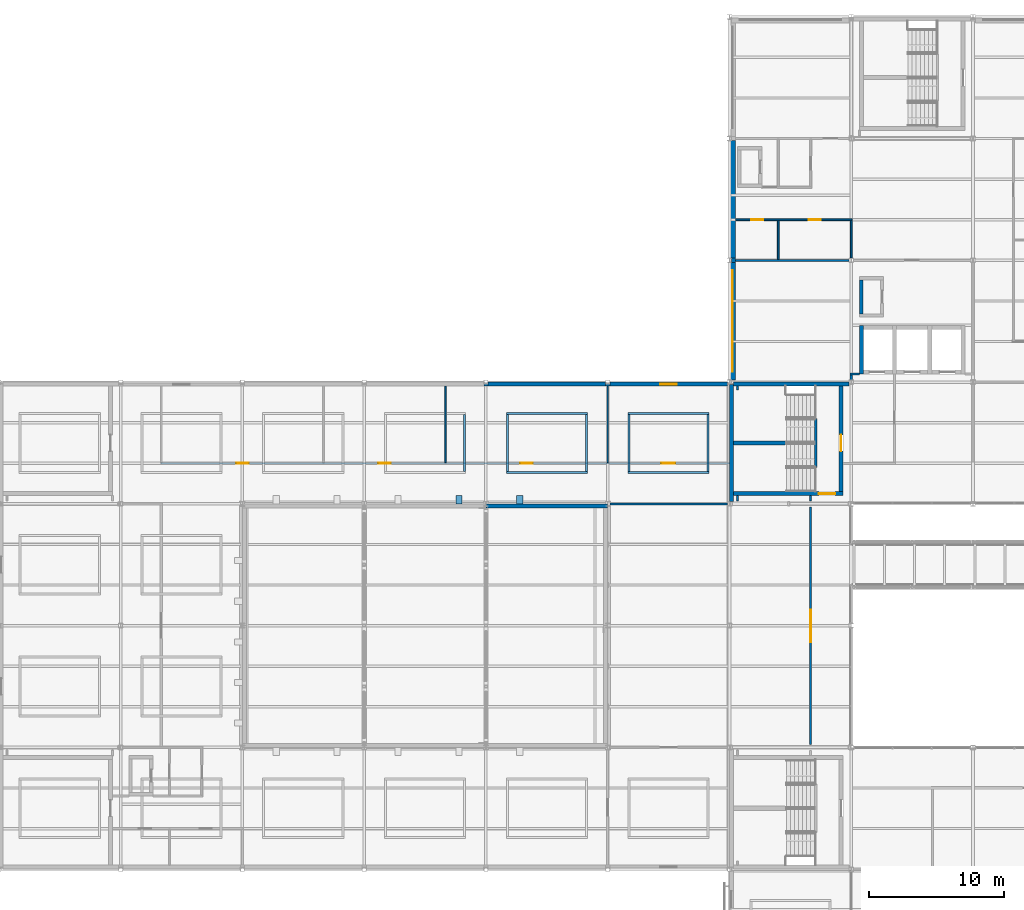
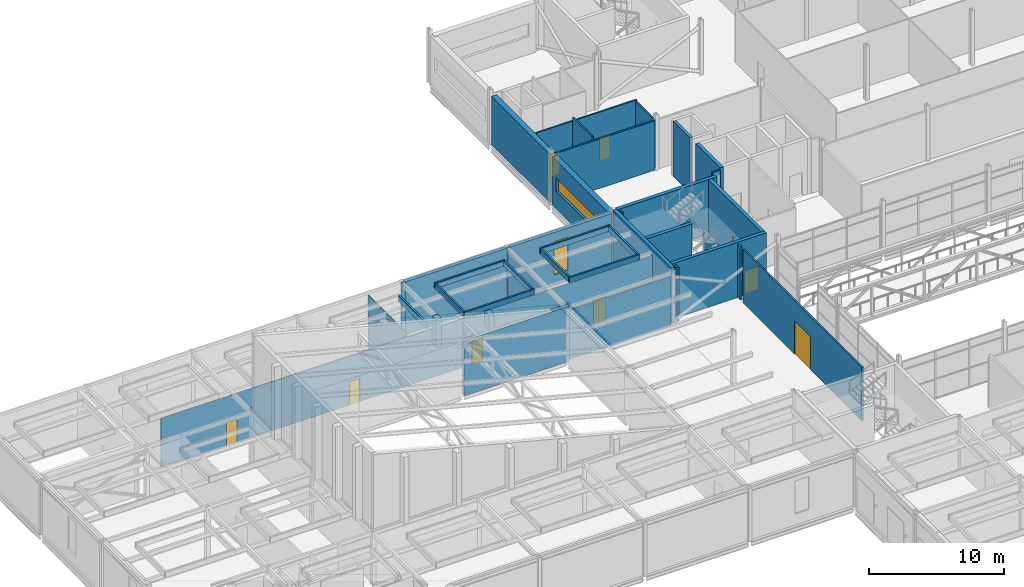
# One storey, part 84 of 115: 41 walls, 9 doors, 2 windows, 11 openings.
"""IFC4 building model written with IfcOpenShell, lengths in metres."""

from ifc_helpers import new_model, si_unit, direction, frame, frame_2d, origin, place, context, subcontext, project, spatial, rectangle, extrude, material, layer, layer_set, type_object, element, fill, save


model = new_model("IFC4")

# Units and contexts
model_context = context("Model", 3, precision=1e-05, world=origin(), true_north=direction((0.0, 1.0)))
body_context = subcontext(model_context, "Body", "Model", "MODEL_VIEW")
ifc_project = project(units=[si_unit("LENGTHUNIT", "METRE"), si_unit("AREAUNIT", "SQUARE_METRE"), si_unit("VOLUMEUNIT", "CUBIC_METRE"), si_unit("PLANEANGLEUNIT", "RADIAN"), si_unit("MASSUNIT", "GRAM", prefix="KILO")], contexts=[model_context])

# Site, building, storey
site_placement = place(None, origin())
site = spatial("IfcSite", under=ifc_project, at=site_placement, CompositionType="ELEMENT")
building_placement = place(site_placement, origin())
building = spatial("IfcBuilding", under=site, at=building_placement, Name="Shorebreak Coast Museum", CompositionType="ELEMENT")
storey_placement = place(building_placement, frame((0.0, 0.0, 11.0)))
storey = spatial("IfcBuildingStorey", under=building, at=storey_placement, Name="L02", CompositionType="ELEMENT", Elevation=11.0)

# Walls
ifc_material_1 = material(Name="Concrete N50 (50 MPa)", Category="concrete")
ifc_layer_1 = layer(ifc_material_1, 0.14990234375)
ifc_layer_set_1 = layer_set([ifc_layer_1], Name="Concrete N50 (50 MPa)")
wall_type_1 = type_object("IfcWallType", Name="Column closure panel 150", PredefinedType="SOLIDWALL", material=ifc_layer_set_1)
for number, where, z_axis, x_axis, name in (
    (1, (35.839111328125, 89.77490234375, 0.0), (0.0, 0.0, 1.0), (1.0, 0.0, 0.0), "Column closure panel L02 N 5L"),
    (2, (44.839111328125, 89.77490234375, 0.0), (0.0, 0.0, 1.0), (1.0, 0.0, 0.0), "Column closure panel L02 N 6L"),
):
    element("IfcWall", number, at=place(storey_placement, frame(where, z_axis=z_axis, x_axis=x_axis)), inside=storey, type_object=wall_type_1, Name=name, PredefinedType="SOLIDWALL", context=body_context, shape_type="SweptSolid", body=[
        extrude(rectangle(XDim=0.32177734375, YDim=0.14990234375, at=frame_2d((0.160888671875, 0.0))), origin(), (0.0, 0.0, 1.0), 4.824951171875),
    ])
ifc_material_2 = material(Name="Concrete N50 (50 MPa)", Category="concrete")
ifc_layer_2 = layer(ifc_material_2, 0.29638671875)
ifc_layer_set_2 = layer_set([ifc_layer_2], Name="Concrete N50 (50 MPa)")
wall_type_2 = type_object("IfcWallType", Name="Column closure panel 297", PredefinedType="SOLIDWALL", material=ifc_layer_set_2)
wall_1_placement = place(storey_placement, frame((54.3017578125, 98.839111328125, 0.0), z_axis=(0.0, 0.0, 1.0), x_axis=(0.0, 1.0, 0.0)))
element("IfcWall", 3, at=wall_1_placement, inside=storey, type_object=wall_type_2, Name="Column closure panel L02 W 7M", PredefinedType="SOLIDWALL", context=body_context, shape_type="SweptSolid", body=[
    extrude(rectangle(XDim=0.32177734375, YDim=0.29638671875, at=frame_2d((0.160888671875, 0.0))), origin(), (0.0, 0.0, 1.0), 4.37109375),
])

# Wall, opening, window
ifc_material_3 = material(Name="Concrete N50 (50 MPa)", Category="concrete")
ifc_layer_3 = layer(ifc_material_3, 0.449951171875)
ifc_layer_set_3 = layer_set([ifc_layer_3], Name="Concrete N50 (50 MPa)")
wall_type_3 = type_object("IfcWallType", Name="Deep-set precast panel 450", PredefinedType="SOLIDWALL", material=ifc_layer_set_3)
wall_2_placement = place(storey_placement, frame((54.22509765625, 90.16357421875, 0.0), z_axis=(0.0, 0.0, 1.0), x_axis=(0.0, 1.0, 0.0)))
wall_2 = element("IfcWall", 4, at=wall_2_placement, inside=storey, type_object=wall_type_3, Name="External wall L02 W 7L", PredefinedType="SOLIDWALL", context=body_context, shape_type="SweptSolid", body=[
    extrude(rectangle(XDim=8.675537109375, YDim=0.449951171875, at=frame_2d((4.337890625, 0.0))), origin(), (0.0, 0.0, 1.0), 4.37109375),
])
opening_1_placement = place(wall_2_placement, frame((0.58642578125, 0.0, 1.60009765625)))
opening_1 = element("IfcOpeningElement", 5, at=opening_1_placement, cuts=wall_2, Name="Opening WN2070", PredefinedType="OPENING", context=body_context, shape_type="SweptSolid", body=[
    extrude(rectangle(XDim=7.5, YDim=1.199951171875, at=frame_2d((3.75, 0.60009765625))), frame((0.0, 0.23486328125, 0.0), z_axis=(0.0, -1.0, 0.0), x_axis=(1.0, 0.0, 0.0)), (0.0, 0.0, 1.0), 0.469970703125),
])
ifc_material_4 = material(Name="Aluminium", Category="aluminium")
window_type_1 = type_object("IfcWindowType", Name="Ribbon window 7500 x 1200", PartitioningType="SINGLE_PANEL", PredefinedType="WINDOW", material=ifc_material_4)
window_1_placement = place(opening_1_placement, origin())
window_1 = element("IfcWindow", 6, at=window_1_placement, inside=storey, type_object=window_type_1, Name="Window WN2070", OverallHeight=1.199951171875, OverallWidth=7.5, PartitioningType="SINGLE_PANEL", PredefinedType="WINDOW", context=body_context, shape_type="SweptSolid", body=[
    extrude(rectangle(XDim=7.5, YDim=1.199951171875, at=frame_2d((3.75, 0.60009765625))), frame((0.0, 0.030029296875, 0.0), z_axis=(0.0, -1.0, 0.0), x_axis=(1.0, 0.0, 0.0)), (0.0, 0.0, 1.0), 0.06005859375),
])
fill(opening_1, window_1)

# Walls
wall_3_placement = place(storey_placement, frame((54.22509765625, 99.160888671875, 0.0), z_axis=(0.0, 0.0, 1.0), x_axis=(0.0, 1.0, 0.0)))
element("IfcWall", 7, at=wall_3_placement, inside=storey, type_object=wall_type_3, Name="External wall L02 W 7M", PredefinedType="SOLIDWALL", context=body_context, shape_type="SweptSolid", body=[
    extrude(rectangle(XDim=8.67822265625, YDim=0.449951171875, at=frame_2d((4.339111328125, 0.0))), origin(), (0.0, 0.0, 1.0), 4.37109375),
])
ifc_material_5 = material(Name="Plasterboard on steel stud", Category="steel")
ifc_layer_4 = layer(ifc_material_5, 0.14990234375)
ifc_layer_set_4 = layer_set([ifc_layer_4], Name="Plasterboard on steel stud")
wall_type_4 = type_object("IfcWallType", Name="Fire partition 150", PredefinedType="PARTITIONING", material=ifc_layer_set_4)
wall_4_placement = place(storey_placement, frame((45.155517578125, 81.0, 0.0), z_axis=(0.0, 0.0, 1.0), x_axis=(1.0, 0.0, 0.0)))
element("IfcWall", 8, at=wall_4_placement, inside=storey, type_object=wall_type_4, Name="Partition L02-053", PredefinedType="PARTITIONING", context=body_context, shape_type="SweptSolid", body=[
    extrude(rectangle(XDim=8.69091796875, YDim=0.14990234375, at=frame_2d((4.345458984375, 0.0))), origin(), (0.0, 0.0, 1.0), 4.469482421875),
])
wall_5_placement = place(storey_placement, frame((62.925048828125, 90.60009765625, 0.0), z_axis=(0.0, 0.0, 1.0), x_axis=(1.0, 0.0, 0.0)))
element("IfcWall", 9, at=wall_5_placement, inside=storey, type_object=wall_type_4, Name="Partition L02-066", PredefinedType="PARTITIONING", context=body_context, shape_type="SweptSolid", body=[
    extrude(rectangle(XDim=0.675048828125, YDim=0.14990234375, at=frame_2d((0.33740234375, 0.0))), origin(), (0.0, 0.0, 1.0), 4.824951171875),
])
wall_6_placement = place(storey_placement, frame((54.449951171875, 99.0, 0.0), z_axis=(0.0, 0.0, 1.0), x_axis=(1.0, 0.0, 0.0)))
element("IfcWall", 10, at=wall_6_placement, inside=storey, type_object=wall_type_4, Name="Partition L02-071", PredefinedType="PARTITIONING", context=body_context, shape_type="SweptSolid", body=[
    extrude(rectangle(XDim=8.396484375, YDim=0.14990234375, at=frame_2d((4.1982421875, 0.0))), origin(), (0.0, 0.0, 1.0), 4.469482421875),
])
wall_7_placement = place(storey_placement, frame((54.60009765625, 81.219970703125, 0.0), z_axis=(0.0, 0.0, 1.0), x_axis=(0.0, 1.0, 0.0)))
element("IfcWall", 11, at=wall_7_placement, inside=storey, type_object=wall_type_4, Name="Partition L02-104", PredefinedType="PARTITIONING", context=body_context, shape_type="SweptSolid", body=[
    extrude(rectangle(XDim=0.380126953125, YDim=0.14990234375, at=frame_2d((0.18994140625, 0.0))), origin(), (0.0, 0.0, 1.0), 4.824951171875),
])
wall_8_placement = place(storey_placement, frame((54.60009765625, 89.39990234375, 0.0), z_axis=(0.0, 0.0, 1.0), x_axis=(0.0, 1.0, 0.0)))
element("IfcWall", 12, at=wall_8_placement, inside=storey, type_object=wall_type_4, Name="Partition L02-105", PredefinedType="PARTITIONING", context=body_context, shape_type="SweptSolid", body=[
    extrude(rectangle(XDim=0.300048828125, YDim=0.14990234375, at=frame_2d((0.14990234375, 0.0))), origin(), (0.0, 0.0, 1.0), 4.824951171875),
])

# Wall, opening, door
wall_9_placement = place(storey_placement, frame((60.0, 63.219970703125, 0.0), z_axis=(0.0, 0.0, 1.0), x_axis=(0.0, 1.0, 0.0)))
wall_9 = element("IfcWall", 13, at=wall_9_placement, inside=storey, type_object=wall_type_4, Name="Partition L02-109", PredefinedType="PARTITIONING", context=body_context, shape_type="SweptSolid", body=[
    extrude(rectangle(XDim=17.56005859375, YDim=0.14990234375, at=frame_2d((8.780029296875, 0.0))), origin(), (0.0, 0.0, 1.0), 4.824951171875),
])
opening_2_placement = place(wall_9_placement, frame((7.550048828125, 0.0, 0.0)))
opening_2 = element("IfcOpeningElement", 14, at=opening_2_placement, cuts=wall_9, Name="Opening D2053", PredefinedType="OPENING", context=body_context, shape_type="SweptSolid", body=[
    extrude(rectangle(XDim=2.39990234375, YDim=3.0, at=frame_2d((1.199951171875, 1.5))), frame((0.0, 0.0849609375, 0.0), z_axis=(0.0, -1.0, 0.0), x_axis=(1.0, 0.0, 0.0)), (0.0, 0.0, 1.0), 0.169921875),
])
ifc_material_6 = material(Name="Steel", Category="steel")
door_type_1 = type_object("IfcDoorType", Name="Fire door 2400x3000 60", OperationType="DOUBLE_DOOR_SINGLE_SWING", PredefinedType="DOOR", material=ifc_material_6)
door_1_placement = place(opening_2_placement, origin())
door_1 = element("IfcDoor", 15, at=door_1_placement, inside=storey, type_object=door_type_1, Name="Door D2053 Temporary Gallery", OperationType="DOUBLE_DOOR_SINGLE_SWING", OverallHeight=3.0, OverallWidth=2.39990234375, PredefinedType="DOOR", context=body_context, shape_type="SweptSolid", body=[
    extrude(rectangle(XDim=2.39990234375, YDim=3.0, at=frame_2d((1.199951171875, 1.5))), frame((0.0, 0.02490234375, 0.0), z_axis=(0.0, -1.0, 0.0), x_axis=(1.0, 0.0, 0.0)), (0.0, 0.0, 1.0), 0.050048828125),
])
fill(opening_2, door_1)

# Walls
wall_10_placement = place(storey_placement, frame((60.0, 81.219970703125, 0.0), z_axis=(0.0, 0.0, 1.0), x_axis=(0.0, 1.0, 0.0)))
element("IfcWall", 16, at=wall_10_placement, inside=storey, type_object=wall_type_4, Name="Partition L02-110", PredefinedType="PARTITIONING", context=body_context, shape_type="SweptSolid", body=[
    extrude(rectangle(XDim=0.380126953125, YDim=0.14990234375, at=frame_2d((0.18994140625, 0.0))), origin(), (0.0, 0.0, 1.0), 4.824951171875),
])
wall_11_placement = place(storey_placement, frame((63.0, 90.16357421875, 0.0), z_axis=(0.0, 0.0, 1.0), x_axis=(0.0, 1.0, 0.0)))
element("IfcWall", 17, at=wall_11_placement, inside=storey, type_object=wall_type_4, Name="Partition L02-117", PredefinedType="PARTITIONING", context=body_context, shape_type="SweptSolid", body=[
    extrude(rectangle(XDim=0.361328125, YDim=0.14990234375, at=frame_2d((0.1806640625, 0.0))), origin(), (0.0, 0.0, 1.0), 4.824951171875),
])

# Wall, openings, doors
ifc_material_7 = material(Name="Plasterboard on steel stud", Category="steel")
ifc_layer_5 = layer(ifc_material_7, 0.10009765625)
ifc_layer_set_5 = layer_set([ifc_layer_5], Name="Plasterboard on steel stud")
wall_type_5 = type_object("IfcWallType", Name="Partition 100", PredefinedType="PARTITIONING", material=ifc_layer_set_5)
wall_12_placement = place(storey_placement, frame((11.949951171875, 84.0, 0.0), z_axis=(0.0, 0.0, 1.0), x_axis=(1.0, 0.0, 0.0)))
wall_12 = element("IfcWall", 18, at=wall_12_placement, inside=storey, type_object=wall_type_5, Name="Partition L02-059", PredefinedType="PARTITIONING", context=body_context, shape_type="SweptSolid", body=[
    extrude(rectangle(XDim=42.050048828125, YDim=0.10009765625, at=frame_2d((21.02490234375, 0.0))), origin(), (0.0, 0.0, 1.0), 4.42236328125),
])
opening_3_placement = place(wall_12_placement, frame((5.60009765625, 0.0, 0.0)))
opening_3 = element("IfcOpeningElement", 19, at=opening_3_placement, cuts=wall_12, Name="Opening D2054", PredefinedType="OPENING", context=body_context, shape_type="SweptSolid", body=[
    extrude(rectangle(XDim=0.89990234375, YDim=2.10009765625, at=frame_2d((0.449951171875, 1.050048828125))), frame((0.0, 0.06005859375, 0.0), z_axis=(0.0, -1.0, 0.0), x_axis=(1.0, 0.0, 0.0)), (0.0, 0.0, 1.0), 0.1201171875),
])
opening_4_placement = place(wall_12_placement, frame((16.10009765625, 0.0, 0.0)))
opening_4 = element("IfcOpeningElement", 20, at=opening_4_placement, cuts=wall_12, Name="Opening D2055", PredefinedType="OPENING", context=body_context, shape_type="SweptSolid", body=[
    extrude(rectangle(XDim=0.89990234375, YDim=2.10009765625, at=frame_2d((0.449951171875, 1.050048828125))), frame((0.0, 0.06005859375, 0.0), z_axis=(0.0, -1.0, 0.0), x_axis=(1.0, 0.0, 0.0)), (0.0, 0.0, 1.0), 0.1201171875),
])
opening_5_placement = place(wall_12_placement, frame((26.60009765625, 0.0, 0.0)))
opening_5 = element("IfcOpeningElement", 21, at=opening_5_placement, cuts=wall_12, Name="Opening D2056", PredefinedType="OPENING", context=body_context, shape_type="SweptSolid", body=[
    extrude(rectangle(XDim=0.89990234375, YDim=2.10009765625, at=frame_2d((0.449951171875, 1.050048828125))), frame((0.0, 0.06005859375, 0.0), z_axis=(0.0, -1.0, 0.0), x_axis=(1.0, 0.0, 0.0)), (0.0, 0.0, 1.0), 0.1201171875),
])
opening_6_placement = place(wall_12_placement, frame((37.0, 0.0, 0.0)))
opening_6 = element("IfcOpeningElement", 22, at=opening_6_placement, cuts=wall_12, Name="Opening D2057", PredefinedType="OPENING", context=body_context, shape_type="SweptSolid", body=[
    extrude(rectangle(XDim=1.050048828125, YDim=2.10009765625, at=frame_2d((0.52490234375, 1.050048828125))), frame((0.0, 0.06005859375, 0.0), z_axis=(0.0, -1.0, 0.0), x_axis=(1.0, 0.0, 0.0)), (0.0, 0.0, 1.0), 0.1201171875),
])
ifc_material_8 = material(Name="Timber", Category="wood")
door_type_2 = type_object("IfcDoorType", Name="Interior door 1050x2100", OperationType="SINGLE_SWING_LEFT", PredefinedType="DOOR", material=ifc_material_8)
door_2_placement = place(opening_6_placement, origin())
door_2 = element("IfcDoor", 23, at=door_2_placement, inside=storey, type_object=door_type_2, Name="Door D2057 Meeting Room 2.03", OperationType="SINGLE_SWING_RIGHT", OverallHeight=2.10009765625, OverallWidth=1.050048828125, PredefinedType="DOOR", context=body_context, shape_type="SweptSolid", body=[
    extrude(rectangle(XDim=1.050048828125, YDim=2.10009765625, at=frame_2d((0.52490234375, 1.050048828125))), frame((0.0, 0.02490234375, 0.0), z_axis=(0.0, -1.0, 0.0), x_axis=(1.0, 0.0, 0.0)), (0.0, 0.0, 1.0), 0.050048828125),
])
fill(opening_6, door_2)
ifc_material_9 = material(Name="Timber", Category="wood")
door_type_3 = type_object("IfcDoorType", Name="Interior door 900x2100", OperationType="SINGLE_SWING_LEFT", PredefinedType="DOOR", material=ifc_material_9)
door_3_placement = place(opening_3_placement, origin())
door_3 = element("IfcDoor", 24, at=door_3_placement, inside=storey, type_object=door_type_3, Name="Door D2054 Curatorial Office 2.05", OperationType="SINGLE_SWING_RIGHT", OverallHeight=2.10009765625, OverallWidth=0.89990234375, PredefinedType="DOOR", context=body_context, shape_type="SweptSolid", body=[
    extrude(rectangle(XDim=0.89990234375, YDim=2.10009765625, at=frame_2d((0.449951171875, 1.050048828125))), frame((0.0, 0.02490234375, 0.0), z_axis=(0.0, -1.0, 0.0), x_axis=(1.0, 0.0, 0.0)), (0.0, 0.0, 1.0), 0.050048828125),
])
fill(opening_3, door_3)
door_4_placement = place(opening_4_placement, origin())
door_4 = element("IfcDoor", 25, at=door_4_placement, inside=storey, type_object=door_type_3, Name="Door D2055 Curatorial Office 2.06", OperationType="SINGLE_SWING_RIGHT", OverallHeight=2.10009765625, OverallWidth=0.89990234375, PredefinedType="DOOR", context=body_context, shape_type="SweptSolid", body=[
    extrude(rectangle(XDim=0.89990234375, YDim=2.10009765625, at=frame_2d((0.449951171875, 1.050048828125))), frame((0.0, 0.02490234375, 0.0), z_axis=(0.0, -1.0, 0.0), x_axis=(1.0, 0.0, 0.0)), (0.0, 0.0, 1.0), 0.050048828125),
])
fill(opening_4, door_4)
door_5_placement = place(opening_5_placement, origin())
door_5 = element("IfcDoor", 26, at=door_5_placement, inside=storey, type_object=door_type_3, Name="Door D2056 Curatorial Office 2.07", OperationType="SINGLE_SWING_RIGHT", OverallHeight=2.10009765625, OverallWidth=0.89990234375, PredefinedType="DOOR", context=body_context, shape_type="SweptSolid", body=[
    extrude(rectangle(XDim=0.89990234375, YDim=2.10009765625, at=frame_2d((0.449951171875, 1.050048828125))), frame((0.0, 0.02490234375, 0.0), z_axis=(0.0, -1.0, 0.0), x_axis=(1.0, 0.0, 0.0)), (0.0, 0.0, 1.0), 0.050048828125),
])
fill(opening_5, door_5)

# Walls
wall_13_placement = place(storey_placement, frame((33.0, 84.050048828125, 0.0), z_axis=(0.0, 0.0, 1.0), x_axis=(0.0, 1.0, 0.0)))
element("IfcWall", 27, at=wall_13_placement, inside=storey, type_object=wall_type_5, Name="Partition L02-096", PredefinedType="PARTITIONING", context=body_context, shape_type="SweptSolid", body=[
    extrude(rectangle(XDim=5.64990234375, YDim=0.10009765625, at=frame_2d((2.824951171875, 0.0))), origin(), (0.0, 0.0, 1.0), 4.741943359375),
])
wall_14_placement = place(storey_placement, frame((45.0, 84.050048828125, 0.0), z_axis=(0.0, 0.0, 1.0), x_axis=(0.0, 1.0, 0.0)))
element("IfcWall", 28, at=wall_14_placement, inside=storey, type_object=wall_type_5, Name="Partition L02-098", PredefinedType="PARTITIONING", context=body_context, shape_type="SweptSolid", body=[
    extrude(rectangle(XDim=5.64990234375, YDim=0.10009765625, at=frame_2d((2.824951171875, 0.0))), origin(), (0.0, 0.0, 1.0), 4.37109375),
])

# Wall, openings, doors
ifc_material_10 = material(Name="Plasterboard on steel stud", Category="steel")
ifc_layer_6 = layer(ifc_material_10, 0.125)
ifc_layer_set_6 = layer_set([ifc_layer_6], Name="Plasterboard on steel stud")
wall_type_6 = type_object("IfcWallType", Name="Partition 125", PredefinedType="PARTITIONING", material=ifc_layer_set_6)
wall_15_placement = place(storey_placement, frame((54.449951171875, 102.0, 0.0), z_axis=(0.0, 0.0, 1.0), x_axis=(1.0, 0.0, 0.0)))
wall_15 = element("IfcWall", 29, at=wall_15_placement, inside=storey, type_object=wall_type_6, Name="Partition L02-076", PredefinedType="PARTITIONING", context=body_context, shape_type="SweptSolid", body=[
    extrude(rectangle(XDim=8.612548828125, YDim=0.125, at=frame_2d((4.30615234375, 0.0))), origin(), (0.0, 0.0, 1.0), 4.469482421875),
])
opening_7_placement = place(wall_15_placement, frame((1.14990234375, 0.0, 0.0)))
opening_7 = element("IfcOpeningElement", 30, at=opening_7_placement, cuts=wall_15, Name="Opening D2010", PredefinedType="OPENING", context=body_context, shape_type="SweptSolid", body=[
    extrude(rectangle(XDim=0.89990234375, YDim=2.10009765625, at=frame_2d((0.449951171875, 1.050048828125))), frame((0.0, 0.072509765625, 0.0), z_axis=(0.0, -1.0, 0.0), x_axis=(1.0, 0.0, 0.0)), (0.0, 0.0, 1.0), 0.14501953125),
])
opening_8_placement = place(wall_15_placement, frame((5.39990234375, 0.0, 0.0)))
opening_8 = element("IfcOpeningElement", 31, at=opening_8_placement, cuts=wall_15, Name="Opening D2011", PredefinedType="OPENING", context=body_context, shape_type="SweptSolid", body=[
    extrude(rectangle(XDim=0.89990234375, YDim=2.10009765625, at=frame_2d((0.449951171875, 1.050048828125))), frame((0.0, 0.072509765625, 0.0), z_axis=(0.0, -1.0, 0.0), x_axis=(1.0, 0.0, 0.0)), (0.0, 0.0, 1.0), 0.14501953125),
])
door_6_placement = place(opening_7_placement, origin())
door_6 = element("IfcDoor", 32, at=door_6_placement, inside=storey, type_object=door_type_3, Name="Door D2010 Accessible WC N1", OperationType="SINGLE_SWING_RIGHT", OverallHeight=2.10009765625, OverallWidth=0.89990234375, PredefinedType="DOOR", context=body_context, shape_type="SweptSolid", body=[
    extrude(rectangle(XDim=0.89990234375, YDim=2.10009765625, at=frame_2d((0.449951171875, 1.050048828125))), frame((0.0, 0.02490234375, 0.0), z_axis=(0.0, -1.0, 0.0), x_axis=(1.0, 0.0, 0.0)), (0.0, 0.0, 1.0), 0.050048828125),
])
fill(opening_7, door_6)
door_7_placement = place(opening_8_placement, origin())
door_7 = element("IfcDoor", 33, at=door_7_placement, inside=storey, type_object=door_type_3, Name="Door D2011 Male WC N1", OperationType="SINGLE_SWING_RIGHT", OverallHeight=2.10009765625, OverallWidth=0.89990234375, PredefinedType="DOOR", context=body_context, shape_type="SweptSolid", body=[
    extrude(rectangle(XDim=0.89990234375, YDim=2.10009765625, at=frame_2d((0.449951171875, 1.050048828125))), frame((0.0, 0.02490234375, 0.0), z_axis=(0.0, -1.0, 0.0), x_axis=(1.0, 0.0, 0.0)), (0.0, 0.0, 1.0), 0.050048828125),
])
fill(opening_8, door_7)

# Walls
wall_16_placement = place(storey_placement, frame((57.60009765625, 99.074951171875, 0.0), z_axis=(0.0, 0.0, 1.0), x_axis=(0.0, 1.0, 0.0)))
element("IfcWall", 34, at=wall_16_placement, inside=storey, type_object=wall_type_6, Name="Partition L02-106", PredefinedType="PARTITIONING", context=body_context, shape_type="SweptSolid", body=[
    extrude(rectangle(XDim=2.862548828125, YDim=0.125, at=frame_2d((1.43115234375, 0.0))), origin(), (0.0, 0.0, 1.0), 4.824951171875),
])
wall_17_placement = place(storey_placement, frame((63.0, 99.1572265625, 0.0), z_axis=(0.0, 0.0, 1.0), x_axis=(0.0, 1.0, 0.0)))
element("IfcWall", 35, at=wall_17_placement, inside=storey, type_object=wall_type_6, Name="Partition L02-118", PredefinedType="PARTITIONING", context=body_context, shape_type="SweptSolid", body=[
    extrude(rectangle(XDim=2.7802734375, YDim=0.125, at=frame_2d((1.39013671875, 0.0))), origin(), (0.0, 0.0, 1.0), 4.37109375),
])
ifc_material_11 = material(Name="Concrete N50 (50 MPa)", Category="concrete")
ifc_layer_7 = layer(ifc_material_11, 0.14990234375)
ifc_layer_set_7 = layer_set([ifc_layer_7], Name="Concrete N50 (50 MPa)")
wall_type_7 = type_object("IfcWallType", Name="Planter wall 150 high 500", PredefinedType="PARAPET", material=ifc_layer_set_7)
wall_18_placement = place(storey_placement, frame((34.425048828125, 83.39990234375, 5.0), z_axis=(0.0, 0.0, 1.0), x_axis=(0.0, 1.0, 0.0)))
element("IfcWall", 36, at=wall_18_placement, inside=storey, type_object=wall_type_7, Name="Planter WDECK-S 14 east wall", PredefinedType="PARAPET", context=body_context, shape_type="SweptSolid", body=[
    extrude(rectangle(XDim=4.2001953125, YDim=0.14990234375, at=frame_2d((2.10009765625, 0.0))), origin(), (0.0, 0.0, 1.0), 0.5),
])
for number, where, z_axis, x_axis, name in (
    (37, (37.5, 83.324951171875, 5.0), (0.0, 0.0, 1.0), (1.0, 0.0, 0.0), "Planter WDECK-S 15 south wall"),
    (38, (37.5, 87.675048828125, 5.0), (0.0, 0.0, 1.0), (1.0, 0.0, 0.0), "Planter WDECK-S 15 north wall"),
):
    element("IfcWall", number, at=place(storey_placement, frame(where, z_axis=z_axis, x_axis=x_axis)), inside=storey, type_object=wall_type_7, Name=name, PredefinedType="PARAPET", context=body_context, shape_type="SweptSolid", body=[
        extrude(rectangle(XDim=6.0, YDim=0.14990234375, at=frame_2d((3.0, 0.0))), origin(), (0.0, 0.0, 1.0), 0.5),
    ])
for number, where, z_axis, x_axis, name in (
    (39, (37.574951171875, 83.39990234375, 5.0), (0.0, 0.0, 1.0), (0.0, 1.0, 0.0), "Planter WDECK-S 15 west wall"),
    (40, (43.425048828125, 83.39990234375, 5.0), (0.0, 0.0, 1.0), (0.0, 1.0, 0.0), "Planter WDECK-S 15 east wall"),
):
    element("IfcWall", number, at=place(storey_placement, frame(where, z_axis=z_axis, x_axis=x_axis)), inside=storey, type_object=wall_type_7, Name=name, PredefinedType="PARAPET", context=body_context, shape_type="SweptSolid", body=[
        extrude(rectangle(XDim=4.2001953125, YDim=0.14990234375, at=frame_2d((2.10009765625, 0.0))), origin(), (0.0, 0.0, 1.0), 0.5),
    ])
for number, where, z_axis, x_axis, name in (
    (41, (46.5, 83.324951171875, 5.0), (0.0, 0.0, 1.0), (1.0, 0.0, 0.0), "Planter WDECK-S 16 south wall"),
    (42, (46.5, 87.675048828125, 5.0), (0.0, 0.0, 1.0), (1.0, 0.0, 0.0), "Planter WDECK-S 16 north wall"),
):
    element("IfcWall", number, at=place(storey_placement, frame(where, z_axis=z_axis, x_axis=x_axis)), inside=storey, type_object=wall_type_7, Name=name, PredefinedType="PARAPET", context=body_context, shape_type="SweptSolid", body=[
        extrude(rectangle(XDim=6.0, YDim=0.14990234375, at=frame_2d((3.0, 0.0))), origin(), (0.0, 0.0, 1.0), 0.5),
    ])
for number, where, z_axis, x_axis, name in (
    (43, (46.574951171875, 83.39990234375, 5.0), (0.0, 0.0, 1.0), (0.0, 1.0, 0.0), "Planter WDECK-S 16 west wall"),
    (44, (52.425048828125, 83.39990234375, 5.0), (0.0, 0.0, 1.0), (0.0, 1.0, 0.0), "Planter WDECK-S 16 east wall"),
):
    element("IfcWall", number, at=place(storey_placement, frame(where, z_axis=z_axis, x_axis=x_axis)), inside=storey, type_object=wall_type_7, Name=name, PredefinedType="PARAPET", context=body_context, shape_type="SweptSolid", body=[
        extrude(rectangle(XDim=4.2001953125, YDim=0.14990234375, at=frame_2d((2.10009765625, 0.0))), origin(), (0.0, 0.0, 1.0), 0.5),
    ])
ifc_material_12 = material(Name="Concrete N50 (50 MPa)", Category="concrete")
ifc_layer_8 = layer(ifc_material_12, 0.300048828125)
ifc_layer_set_8 = layer_set([ifc_layer_8], Name="Concrete N50 (50 MPa)")
wall_type_8 = type_object("IfcWallType", Name="Precast board-marked panel 300", PredefinedType="SOLIDWALL", material=ifc_layer_set_8)
wall_19_placement = place(storey_placement, frame((36.160888671875, 89.85009765625, 0.0), z_axis=(0.0, 0.0, 1.0), x_axis=(1.0, 0.0, 0.0)))
element("IfcWall", 45, at=wall_19_placement, inside=storey, type_object=wall_type_8, Name="External wall L02 N 5L", PredefinedType="SOLIDWALL", context=body_context, shape_type="SweptSolid", body=[
    extrude(rectangle(XDim=8.67822265625, YDim=0.300048828125, at=frame_2d((4.339111328125, 0.0))), origin(), (0.0, 0.0, 1.0), 4.824951171875),
])

# Wall, opening, window
wall_20_placement = place(storey_placement, frame((45.160888671875, 89.85009765625, 0.0), z_axis=(0.0, 0.0, 1.0), x_axis=(1.0, 0.0, 0.0)))
wall_20 = element("IfcWall", 46, at=wall_20_placement, inside=storey, type_object=wall_type_8, Name="External wall L02 N 6L", PredefinedType="SOLIDWALL", context=body_context, shape_type="SweptSolid", body=[
    extrude(rectangle(XDim=8.68359375, YDim=0.300048828125, at=frame_2d((4.341796875, 0.0))), origin(), (0.0, 0.0, 1.0), 4.824951171875),
])
opening_9_placement = place(wall_20_placement, frame((3.739013671875, 0.0, 1.0)))
opening_9 = element("IfcOpeningElement", 47, at=opening_9_placement, cuts=wall_20, Name="Opening WN2017", PredefinedType="OPENING", context=body_context, shape_type="SweptSolid", body=[
    extrude(rectangle(XDim=1.199951171875, YDim=3.0, at=frame_2d((0.60009765625, 1.5))), frame((0.0, 0.159912109375, 0.0), z_axis=(0.0, -1.0, 0.0), x_axis=(1.0, 0.0, 0.0)), (0.0, 0.0, 1.0), 0.320068359375),
])
ifc_material_13 = material(Name="Aluminium", Category="aluminium")
window_type_2 = type_object("IfcWindowType", Name="Foyer slot window 1200 x 3000", PartitioningType="SINGLE_PANEL", PredefinedType="WINDOW", material=ifc_material_13)
window_2_placement = place(opening_9_placement, origin())
window_2 = element("IfcWindow", 48, at=window_2_placement, inside=storey, type_object=window_type_2, Name="Window WN2017", OverallHeight=3.0, OverallWidth=1.199951171875, PartitioningType="SINGLE_PANEL", PredefinedType="WINDOW", context=body_context, shape_type="SweptSolid", body=[
    extrude(rectangle(XDim=1.199951171875, YDim=3.0, at=frame_2d((0.60009765625, 1.5))), frame((0.0, 0.030029296875, 0.0), z_axis=(0.0, -1.0, 0.0), x_axis=(1.0, 0.0, 0.0)), (0.0, 0.0, 1.0), 0.06005859375),
])
fill(opening_9, window_2)

# Wall
ifc_material_14 = material(Name="Concrete N50 (50 MPa)", Category="concrete")
ifc_layer_9 = layer(ifc_material_14, 0.25)
ifc_layer_set_9 = layer_set([ifc_layer_9], Name="Concrete N50 (50 MPa)")
wall_type_9 = type_object("IfcWallType", Name="RC riser wall 250", PredefinedType="STANDARD", material=ifc_layer_set_9)
wall_21_placement = place(storey_placement, frame((63.72509765625, 95.050048828125, 0.0), z_axis=(0.0, 0.0, 1.0), x_axis=(0.0, 1.0, 0.0)))
element("IfcWall", 49, at=wall_21_placement, inside=storey, type_object=wall_type_9, Name="Riser wall R-LBW L02 W", PredefinedType="STANDARD", context=body_context, shape_type="SweptSolid", body=[
    extrude(rectangle(XDim=2.5, YDim=0.25, at=frame_2d((1.25, 0.0))), origin(), (0.0, 0.0, 1.0), 5.0),
])

# Wall, opening, door
ifc_material_15 = material(Name="Concrete N50 (50 MPa)", Category="concrete")
ifc_layer_10 = layer(ifc_material_15, 0.300048828125)
ifc_layer_set_10 = layer_set([ifc_layer_10], Name="Concrete N50 (50 MPa)")
wall_type_10 = type_object("IfcWallType", Name="RC wall 300", PredefinedType="SHEAR", material=ifc_layer_set_10)
wall_22_placement = place(storey_placement, frame((54.300048828125, 81.75, 0.0), z_axis=(0.0, 0.0, 1.0), x_axis=(1.0, 0.0, 0.0)))
wall_22 = element("IfcWall", 50, at=wall_22_placement, inside=storey, type_object=wall_type_10, Name="Stair core wall ST03 L02 S", PredefinedType="SHEAR", context=body_context, shape_type="SweptSolid", body=[
    extrude(rectangle(XDim=8.099853515625, YDim=0.300048828125, at=frame_2d((4.0498046875, 0.0))), origin(), (0.0, 0.0, 1.0), 5.0),
])
opening_10_placement = place(wall_22_placement, frame((6.300048828125, 0.0, 0.0)))
opening_10 = element("IfcOpeningElement", 51, at=opening_10_placement, cuts=wall_22, Name="Opening D2703", PredefinedType="OPENING", context=body_context, shape_type="SweptSolid", body=[
    extrude(rectangle(XDim=1.199951171875, YDim=2.10009765625, at=frame_2d((0.60009765625, 1.050048828125))), frame((0.0, 0.159912109375, 0.0), z_axis=(0.0, -1.0, 0.0), x_axis=(1.0, 0.0, 0.0)), (0.0, 0.0, 1.0), 0.320068359375),
])
ifc_material_16 = material(Name="Steel Grade 300", Category="steel")
door_type_4 = type_object("IfcDoorType", Name="Fire door 1200x2100", OperationType="SINGLE_SWING_LEFT", PredefinedType="DOOR", material=ifc_material_16)
door_8_placement = place(opening_10_placement, origin())
door_8 = element("IfcDoor", 52, at=door_8_placement, inside=storey, type_object=door_type_4, Name="Stair door ST03 L02 south", OperationType="SINGLE_SWING_LEFT", OverallHeight=2.10009765625, OverallWidth=1.199951171875, PredefinedType="DOOR", context=body_context, shape_type="SweptSolid", body=[
    extrude(rectangle(XDim=1.199951171875, YDim=2.10009765625, at=frame_2d((0.60009765625, 1.050048828125))), frame((0.0, 0.02490234375, 0.0), z_axis=(0.0, -1.0, 0.0), x_axis=(1.0, 0.0, 0.0)), (0.0, 0.0, 1.0), 0.050048828125),
])
fill(opening_10, door_8)

# Walls
wall_23_placement = place(storey_placement, frame((54.300048828125, 89.85009765625, 0.0), z_axis=(0.0, 0.0, 1.0), x_axis=(1.0, 0.0, 0.0)))
element("IfcWall", 53, at=wall_23_placement, inside=storey, type_object=wall_type_10, Name="Stair core wall ST03 L02 N", PredefinedType="SHEAR", context=body_context, shape_type="SweptSolid", body=[
    extrude(rectangle(XDim=8.54443359375, YDim=0.300048828125, at=frame_2d((4.272216796875, 0.0))), origin(), (0.0, 0.0, 1.0), 5.0),
])
wall_24_placement = place(storey_placement, frame((54.14990234375, 81.1572265625, 0.0), z_axis=(0.0, 0.0, 1.0), x_axis=(0.0, 1.0, 0.0)))
element("IfcWall", 54, at=wall_24_placement, inside=storey, type_object=wall_type_10, Name="Stair core wall ST03 L02 W", PredefinedType="SHEAR", context=body_context, shape_type="SweptSolid", body=[
    extrude(rectangle(XDim=8.67919921875, YDim=0.300048828125, at=frame_2d((4.339599609375, 0.0))), origin(), (0.0, 0.0, 1.0), 5.0),
])

# Wall, opening, door
wall_25_placement = place(storey_placement, frame((62.25, 81.89990234375, 0.0), z_axis=(0.0, 0.0, 1.0), x_axis=(0.0, 1.0, 0.0)))
wall_25 = element("IfcWall", 55, at=wall_25_placement, inside=storey, type_object=wall_type_10, Name="Stair core wall ST03 L02 E", PredefinedType="SHEAR", context=body_context, shape_type="SweptSolid", body=[
    extrude(rectangle(XDim=7.800048828125, YDim=0.300048828125, at=frame_2d((3.89990234375, 0.0))), origin(), (0.0, 0.0, 1.0), 5.0),
])
opening_11_placement = place(wall_25_placement, frame((3.0, 0.0, 0.0)))
opening_11 = element("IfcOpeningElement", 56, at=opening_11_placement, cuts=wall_25, Name="Opening D2803", PredefinedType="OPENING", context=body_context, shape_type="SweptSolid", body=[
    extrude(rectangle(XDim=1.199951171875, YDim=2.10009765625, at=frame_2d((0.60009765625, 1.050048828125))), frame((0.0, 0.159912109375, 0.0), z_axis=(0.0, -1.0, 0.0), x_axis=(1.0, 0.0, 0.0)), (0.0, 0.0, 1.0), 0.320068359375),
])
door_9_placement = place(opening_11_placement, origin())
door_9 = element("IfcDoor", 57, at=door_9_placement, inside=storey, type_object=door_type_4, Name="Stair door ST03 L02", OperationType="SINGLE_SWING_RIGHT", OverallHeight=2.10009765625, OverallWidth=1.199951171875, PredefinedType="DOOR", context=body_context, shape_type="SweptSolid", body=[
    extrude(rectangle(XDim=1.199951171875, YDim=2.10009765625, at=frame_2d((0.60009765625, 1.050048828125))), frame((0.0, 0.02490234375, 0.0), z_axis=(0.0, -1.0, 0.0), x_axis=(1.0, 0.0, 0.0)), (0.0, 0.0, 1.0), 0.050048828125),
])
fill(opening_11, door_9)

# Walls
wall_26_placement = place(storey_placement, frame((58.199951171875, 85.5, 0.0), z_axis=(0.0, 0.0, 1.0), x_axis=(-1.0, 0.0, 0.0)))
element("IfcWall", 58, at=wall_26_placement, inside=storey, type_object=wall_type_10, Name="Stair spine wall ST03 L02", PredefinedType="SHEAR", context=body_context, shape_type="SweptSolid", body=[
    extrude(rectangle(XDim=3.89990234375, YDim=0.300048828125, at=frame_2d((1.949951171875, 0.0))), origin(), (0.0, 0.0, 1.0), 5.0),
])
wall_27_placement = place(storey_placement, frame((63.75, 90.60009765625, 0.0), z_axis=(0.0, 0.0, 1.0), x_axis=(0.0, 1.0, 0.0)))
element("IfcWall", 59, at=wall_27_placement, inside=storey, type_object=wall_type_10, Name="Lift shaft wall LBW L02 1", PredefinedType="SHEAR", context=body_context, shape_type="SweptSolid", body=[
    extrude(rectangle(XDim=3.599853515625, YDim=0.300048828125, at=frame_2d((1.7998046875, 0.0))), origin(), (0.0, 0.0, 1.0), 5.0),
])
wall_28_placement = place(storey_placement, frame((36.0, 80.85009765625, 0.0), z_axis=(0.0, 0.0, 1.0), x_axis=(1.0, 0.0, 0.0)))
element("IfcWall", 60, at=wall_28_placement, inside=storey, type_object=wall_type_10, Name="Auditorium wall L02 N3", PredefinedType="SHEAR", context=body_context, shape_type="SweptSolid", body=[
    extrude(rectangle(XDim=9.0, YDim=0.300048828125, at=frame_2d((4.5, 0.0))), origin(), (0.0, 0.0, 1.0), 5.0),
])
ifc_material_17 = material(Name="Concrete N50 (50 MPa)", Category="concrete")
ifc_layer_11 = layer(ifc_material_17, 0.449951171875)
ifc_layer_set_11 = layer_set([ifc_layer_11], Name="Concrete N50 (50 MPa)")
wall_type_11 = type_object("IfcWallType", Name="Shell buttress rib 450", PredefinedType="SOLIDWALL", material=ifc_layer_set_11)
wall_29_placement = place(storey_placement, frame((34.0, 81.0, 5.0), z_axis=(0.0, 0.0, 1.0), x_axis=(0.0, 1.0, 0.0)))
element("IfcWall", 61, at=wall_29_placement, inside=storey, type_object=wall_type_11, Name="Hall side rib N04", PredefinedType="SOLIDWALL", context=body_context, shape_type="SweptSolid", body=[
    extrude(rectangle(XDim=0.60009765625, YDim=0.449951171875, at=frame_2d((0.300048828125, 0.0))), origin(), (0.0, 0.0, 1.0), 2.535400390625),
])
wall_30_placement = place(storey_placement, frame((38.5, 81.0, 5.0), z_axis=(0.0, 0.0, 1.0), x_axis=(0.0, 1.0, 0.0)))
element("IfcWall", 62, at=wall_30_placement, inside=storey, type_object=wall_type_11, Name="Hall side rib N05", PredefinedType="SOLIDWALL", context=body_context, shape_type="SweptSolid", body=[
    extrude(rectangle(XDim=0.60009765625, YDim=0.449951171875, at=frame_2d((0.300048828125, 0.0))), origin(), (0.0, 0.0, 1.0), 1.36865234375),
])
ifc_material_18 = material(Name="Concrete N50 (50 MPa)", Category="concrete")
ifc_layer_12 = layer(ifc_material_18, 0.14990234375)
ifc_layer_set_12 = layer_set([ifc_layer_12], Name="Concrete N50 (50 MPa)")
wall_type_12 = type_object("IfcWallType", Name="Understair wall 150", PredefinedType="STANDARD", material=ifc_layer_set_12)
wall_31_placement = place(storey_placement, frame((60.375, 83.699951171875, 0.0), z_axis=(0.0, 0.0, 1.0), x_axis=(0.0, 1.0, 0.0)))
element("IfcWall", 63, at=wall_31_placement, inside=storey, type_object=wall_type_12, Name="Understair wall ST03 L02 floor", PredefinedType="STANDARD", context=body_context, shape_type="SweptSolid", body=[
    extrude(rectangle(XDim=3.60009765625, YDim=0.14990234375, at=frame_2d((1.800048828125, 0.0))), origin(), (0.0, 0.0, 1.0), 2.300048828125),
])

save(model, "model.ifc")
